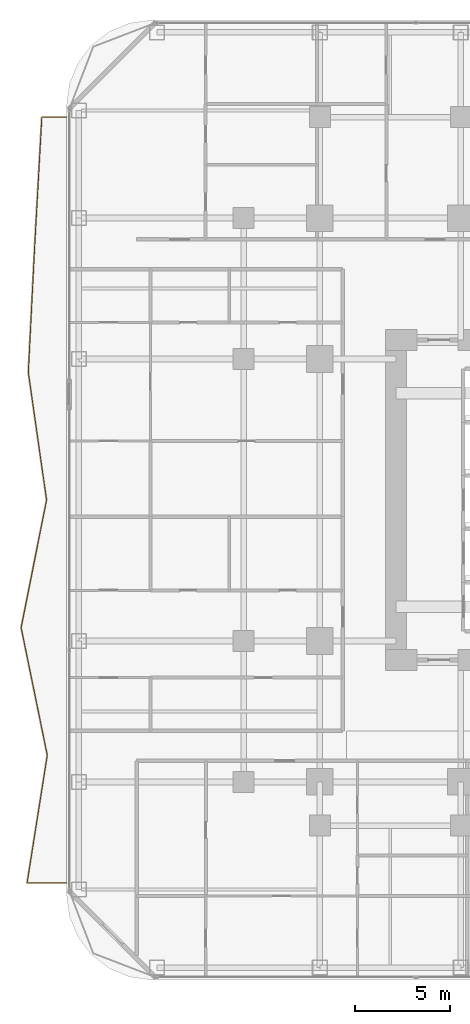
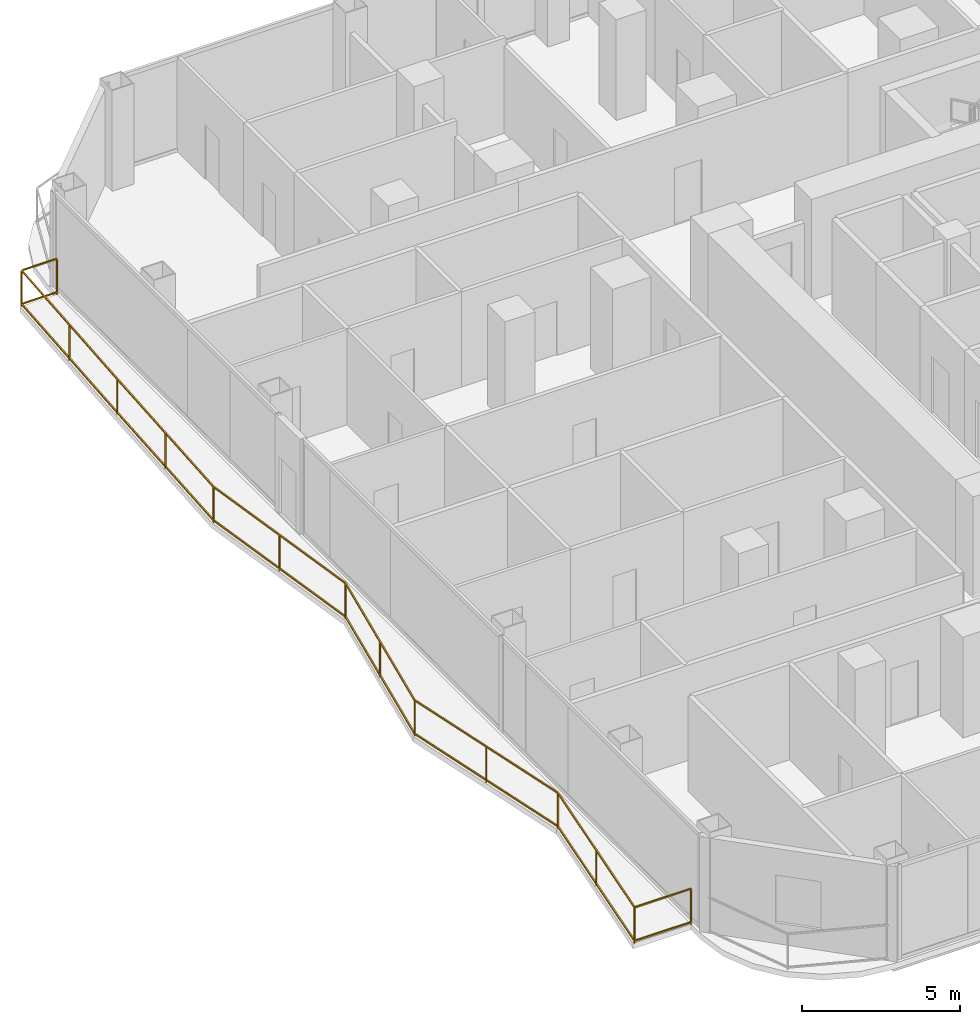
# One storey, part 26 of 29: 1 railing.
"""IFC4 building model written with IfcOpenShell, lengths in metres."""

import ifcopenshell
import ifcopenshell.guid

model = None  # the IFC model being written
_history = None  # IfcOwnerHistory: only IFC2X3 demands one
_inside = {}  # id of a spatial element -> (the spatial element, [elements in it])
_under = {}  # id of a project, library or spatial element -> (it, [spatial elements below it])
_declared = {}  # id of a project -> (the project, [libraries it declares])
_typed = {}  # id of a type object -> (the type object, [elements of that type])
_made_of = {}  # id of a material, layer set ... -> (it, [elements and type objects made of it])


def new_model(schema):
    """Start an empty IFC model of exactly this schema.

    Asked for "IFC4X3", IfcOpenShell would pick the latest addendum, in which some entities
    have other attributes; the version numbers below select the first issue.
    IFC2X3 requires an IfcOwnerHistory on every rooted entity: one is made here for all.
    """
    global model, _history
    if schema == "IFC4X3":
        model = ifcopenshell.file(schema_version=(4, 3, 0, 0))
    else:
        model = ifcopenshell.file(schema=schema)
    _inside.clear()
    _under.clear()
    _declared.clear()
    _typed.clear()
    _made_of.clear()
    _history = None
    if model.schema == "IFC2X3":
        org = make("IfcOrganization", Name="unknown")
        user = make(
            "IfcPersonAndOrganization",
            ThePerson=make("IfcPerson", FamilyName="unknown"),
            TheOrganization=org,
        )
        app = make(
            "IfcApplication",
            ApplicationDeveloper=org,
            Version="unknown",
            ApplicationFullName="unknown",
            ApplicationIdentifier="unknown",
        )
        _history = make(
            "IfcOwnerHistory",
            OwningUser=user,
            OwningApplication=app,
            ChangeAction="ADDED",
            CreationDate=0,
        )
    return model


def make(cls, **values):
    """One entity of the class cls with the attributes given. An attribute that is None is left unset."""
    return model.create_entity(
        cls, **{name: value for name, value in values.items() if value is not None}
    )


def rooted(cls, **values):
    """An entity with a GlobalId (a new one), such as an element, a storey or a relation."""
    return make(cls, GlobalId=ifcopenshell.guid.new(), OwnerHistory=_history, **values)


def si_unit(unit_type, name, prefix=None):
    """IfcSIUnit, for example si_unit("LENGTHUNIT", "METRE", prefix="MILLI")."""
    return make("IfcSIUnit", UnitType=unit_type, Prefix=prefix, Name=name)


def assignment(units):
    """IfcUnitAssignment: the units of a project."""
    return None if units is None else make("IfcUnitAssignment", Units=units)


def point(xyz):
    """IfcCartesianPoint."""
    return None if xyz is None else make("IfcCartesianPoint", Coordinates=xyz)


def direction(xyz):
    """IfcDirection."""
    return None if xyz is None else make("IfcDirection", DirectionRatios=xyz)


def frame(location, z_axis=None, x_axis=None):
    """IfcAxis2Placement3D, a coordinate frame: its origin and axes. An axis left out is left unset."""
    return make(
        "IfcAxis2Placement3D",
        Location=point(location),
        Axis=direction(z_axis),
        RefDirection=direction(x_axis),
    )


def frame_2d(location, x_axis=None):
    """IfcAxis2Placement2D, a coordinate frame in the plane: its origin and x axis."""
    return make(
        "IfcAxis2Placement2D", Location=point(location), RefDirection=direction(x_axis)
    )


def origin():
    """The frame at (0, 0, 0) with its axes left unset."""
    return frame((0.0, 0.0, 0.0))


def origin_2d():
    """The frame at (0, 0) in the plane with its x axis left unset."""
    return frame_2d((0.0, 0.0))


def place(relative_to, where):
    """IfcLocalPlacement: puts the frame where relative to a parent placement (None: the world)."""
    return make(
        "IfcLocalPlacement", PlacementRelTo=relative_to, RelativePlacement=where
    )


def context(
    kind, dimensions, precision=None, world=None, true_north=None, identifier=None
):
    """IfcGeometricRepresentationContext, for example the 3D "Model" context."""
    return make(
        "IfcGeometricRepresentationContext",
        ContextIdentifier=identifier,
        ContextType=kind,
        CoordinateSpaceDimension=dimensions,
        Precision=precision,
        WorldCoordinateSystem=world,
        TrueNorth=true_north,
    )


def subcontext(parent, identifier, kind, view, scale=None):
    """IfcGeometricRepresentationSubContext, for example "Body" below "Model"."""
    return make(
        "IfcGeometricRepresentationSubContext",
        ContextIdentifier=identifier,
        ContextType=kind,
        ParentContext=parent,
        TargetScale=scale,
        TargetView=view,
    )


def project(units=None, contexts=None):
    """IfcProject with its units and contexts."""
    return rooted(
        "IfcProject",
        Name="project",
        RepresentationContexts=contexts,
        UnitsInContext=assignment(units),
    )


def spatial(cls, under=None, at=None, **own):
    """A site, building, storey or space (cls), placed at a placement, below another one or the project."""
    s = rooted(cls, ObjectPlacement=at, **own)
    if under is not None:
        _under.setdefault(under.id(), (under, []))[1].append(s)
    return s


def profile(cls, at=None, kind="AREA", **sizes):
    """A parametric profile (cls). Its sizes go by their IFC names, for example OverallWidth=200.0."""
    return make(cls, ProfileType=kind, Position=at, **sizes)


def rectangle(**sizes):
    """IfcRectangleProfileDef."""
    return profile("IfcRectangleProfileDef", **sizes)


def extrude(swept, where, along, depth):
    """IfcExtrudedAreaSolid: the profile swept, set in the frame where, extruded along a direction by depth."""
    return make(
        "IfcExtrudedAreaSolid",
        SweptArea=swept,
        Position=where,
        ExtrudedDirection=direction(along),
        Depth=depth,
    )


def shape(context_of_items, identifier, shape_type, items):
    """IfcShapeRepresentation: the items that make up one representation, for example the "Body"."""
    return make(
        "IfcShapeRepresentation",
        ContextOfItems=context_of_items,
        RepresentationIdentifier=identifier,
        RepresentationType=shape_type,
        Items=items,
    )


def material(Name=None, Category=None):
    """IfcMaterial."""
    return make("IfcMaterial", Name=Name, Category=Category)


def made_of(thing, what):
    """Note that an element or type object is made of a material, layer set ...; save() writes the relation."""
    if what is not None:
        _made_of.setdefault(what.id(), (what, []))[1].append(thing)
    return thing


def type_object(cls, material=None, **own):
    """A type object (cls), such as IfcWallType, which elements share."""
    return made_of(rooted(cls, **own), material)


def element(
    cls,
    number,
    at=None,
    inside=None,
    cuts=None,
    type_object=None,
    material=None,
    context=None,
    identifier="Body",
    shape_type=None,
    held_by="IfcProductDefinitionShape",
    body=None,
    shapes=None,
    **own,
):
    """One element of the class cls, such as IfcWall. Its Tag is "e" and its number.

    at: its placement. inside: the storey or other place that contains it. cuts: it is an
    opening in that element (IfcRelVoidsElement). A single representation is given by context,
    identifier, shape_type and body (its items); several are given by shapes. held_by: the class
    of the entity that holds the representations. save() writes the other relations.
    """
    e = rooted(cls, Tag="e%d" % number, ObjectPlacement=at, **own)
    if body is not None:
        shapes = [shape(context, identifier, shape_type, body)]
    if shapes is not None:
        e.Representation = make(held_by, Representations=shapes)
    if inside is not None:
        _inside.setdefault(inside.id(), (inside, []))[1].append(e)
    if cuts is not None:
        rooted(
            "IfcRelVoidsElement", RelatingBuildingElement=cuts, RelatedOpeningElement=e
        )
    if type_object is not None:
        _typed.setdefault(type_object.id(), (type_object, []))[1].append(e)
    return made_of(e, material)


def aggregate(whole, parts):
    """IfcRelAggregates: a whole, such as a stair, and the parts it consists of."""
    return rooted("IfcRelAggregates", RelatingObject=whole, RelatedObjects=parts)


def save(model, path):
    """Write the relations noted so far, then the file.

    IfcRelAggregates (storeys below a building ...), IfcRelContainedInSpatialStructure (elements
    in a storey), IfcRelDefinesByType, IfcRelAssociatesMaterial and IfcRelDeclares: one each for
    every whole, place, type object, material and project.
    """
    for whole, parts in _under.values():
        aggregate(whole, parts)
    for where, things in _inside.values():
        rooted(
            "IfcRelContainedInSpatialStructure",
            RelatedElements=things,
            RelatingStructure=where,
        )
    for kind, things in _typed.values():
        rooted("IfcRelDefinesByType", RelatedObjects=things, RelatingType=kind)
    for what, things in _made_of.values():
        rooted("IfcRelAssociatesMaterial", RelatedObjects=things, RelatingMaterial=what)
    for by, libraries in _declared.values():
        rooted("IfcRelDeclares", RelatingContext=by, RelatedDefinitions=libraries)
    model.write(path)


model = new_model("IFC4")

# Units and contexts
model_context = context("Model", 3, precision=1e-05, world=origin(), true_north=direction((0.0, 1.0)))
body_context = subcontext(model_context, "Body", "Model", "MODEL_VIEW")
ifc_project = project(units=[si_unit("LENGTHUNIT", "METRE"), si_unit("AREAUNIT", "SQUARE_METRE"), si_unit("VOLUMEUNIT", "CUBIC_METRE"), si_unit("PLANEANGLEUNIT", "RADIAN"), si_unit("MASSUNIT", "GRAM", prefix="KILO")], contexts=[model_context])

# Site, building, storey
site_placement = place(None, origin())
site = spatial("IfcSite", under=ifc_project, at=site_placement, CompositionType="ELEMENT")
building_placement = place(site_placement, origin())
building = spatial("IfcBuilding", under=site, at=building_placement, Name="Khorvyn Point Tower", CompositionType="ELEMENT")
storey_placement = place(building_placement, frame((0.0, 0.0, 69.60009765625)))
storey = spatial("IfcBuildingStorey", under=building, at=storey_placement, Name="L18", CompositionType="ELEMENT", Elevation=69.60009765625)

# Railing
ifc_material = material(Name="Anodised aluminium 6063-T6 and laminated safety glass", Category="aluminium")
railing_type = type_object("IfcRailingType", Name="Laminated Glass and Aluminium Balcony Guardrail 1400", PredefinedType="BALUSTRADE", material=ifc_material)
railing_placement = place(storey_placement, frame((-28.10009765625, 20.10009765625, 0.0)))
element("IfcRailing", 1, at=railing_placement, inside=storey, type_object=railing_type, Name="L18 West Balcony Guardrail", PredefinedType="BALUSTRADE", context=body_context, shape_type="SweptSolid", body=[
    extrude(rectangle(XDim=0.048095703125, YDim=0.048095703125, at=origin_2d()), frame((0.0, 0.0, 1.3759765625), z_axis=(-1.0, 0.0, 0.0), x_axis=(0.0, -1.0, 0.0)), (0.0, 0.0, 1.0), 1.294921875),
    extrude(rectangle(XDim=0.048095703125, YDim=0.048095703125, at=origin_2d()), frame((0.0, 0.0, 0.080078125), z_axis=(-1.0, 0.0, 0.0), x_axis=(0.0, -1.0, 0.0)), (0.0, 0.0, 1.0), 1.294921875),
    extrude(rectangle(XDim=0.048095703125, YDim=0.048095703125, at=origin_2d()), frame((-1.294921875, 0.0, 1.3759765625), z_axis=(-0.055445839712, -0.99846169624, 0.0), x_axis=(0.99846169624, -0.055445839713, 0.0)), (0.0, 0.0, 1.0), 6.71044921875),
    extrude(rectangle(XDim=0.048095703125, YDim=0.048095703125, at=origin_2d()), frame((-1.294921875, 0.0, 0.080078125), z_axis=(-0.055445839712, -0.99846169624, 0.0), x_axis=(0.99846169624, -0.055445839713, 0.0)), (0.0, 0.0, 1.0), 6.71044921875),
    extrude(rectangle(XDim=0.048095703125, YDim=0.048095703125, at=origin_2d()), frame((-1.6669921875, -6.7001953125, 1.3759765625), z_axis=(-0.050149985773, -0.998741697801, 0.0), x_axis=(0.998741697801, -0.050149985773, 0.0)), (0.0, 0.0, 1.0), 6.70849609375),
    extrude(rectangle(XDim=0.048095703125, YDim=0.048095703125, at=origin_2d()), frame((-1.6669921875, -6.7001953125, 0.080078125), z_axis=(-0.050149985773, -0.998741697801, 0.0), x_axis=(0.998741697801, -0.050149985773, 0.0)), (0.0, 0.0, 1.0), 6.70849609375),
    extrude(rectangle(XDim=0.048095703125, YDim=0.048095703125, at=origin_2d()), frame((-2.00341796875, -13.400146484375, 1.3759765625), z_axis=(0.141724348985, -0.989906161666, 0.0), x_axis=(0.989906161666, 0.141724348985, 0.0)), (0.0, 0.0, 1.0), 6.768310546875),
    extrude(rectangle(XDim=0.048095703125, YDim=0.048095703125, at=origin_2d()), frame((-2.00341796875, -13.400146484375, 0.080078125), z_axis=(0.141724348985, -0.989906161666, 0.0), x_axis=(0.989906161666, 0.141724348985, 0.0)), (0.0, 0.0, 1.0), 6.768310546875),
    extrude(rectangle(XDim=0.048095703125, YDim=0.048095703125, at=origin_2d()), frame((-1.044189453125, -20.10009765625, 1.3759765625), z_axis=(-0.195717542461, -0.980660309981, 0.0), x_axis=(0.980660309981, -0.195717542461, 0.0)), (0.0, 0.0, 1.0), 6.83203125),
    extrude(rectangle(XDim=0.048095703125, YDim=0.048095703125, at=origin_2d()), frame((-1.044189453125, -20.10009765625, 0.080078125), z_axis=(-0.195717542461, -0.980660309981, 0.0), x_axis=(0.980660309981, -0.195717542461, 0.0)), (0.0, 0.0, 1.0), 6.83203125),
    extrude(rectangle(XDim=0.048095703125, YDim=0.048095703125, at=origin_2d()), frame((-2.38134765625, -26.800048828125, 1.3759765625), z_axis=(0.200898470326, -0.979612068434, 0.0), x_axis=(0.979612068434, 0.200898470326, 0.0)), (0.0, 0.0, 1.0), 6.83935546875),
    extrude(rectangle(XDim=0.048095703125, YDim=0.048095703125, at=origin_2d()), frame((-2.38134765625, -26.800048828125, 0.080078125), z_axis=(0.200898470326, -0.979612068434, 0.0), x_axis=(0.979612068434, 0.200898470326, 0.0)), (0.0, 0.0, 1.0), 6.83935546875),
    extrude(rectangle(XDim=0.048095703125, YDim=0.048095703125, at=origin_2d()), frame((-1.00732421875, -33.5, 1.3759765625), z_axis=(-0.156374689128, -0.987697806315, 0.0), x_axis=(0.987697806315, -0.156374689128, 0.0)), (0.0, 0.0, 1.0), 6.78369140625),
    extrude(rectangle(XDim=0.048095703125, YDim=0.048095703125, at=origin_2d()), frame((-1.00732421875, -33.5, 0.080078125), z_axis=(-0.156374689128, -0.987697806315, 0.0), x_axis=(0.987697806315, -0.156374689128, 0.0)), (0.0, 0.0, 1.0), 6.78369140625),
    extrude(rectangle(XDim=0.048095703125, YDim=0.048095703125, at=origin_2d()), frame((-2.068115234375, -40.2001953125, 1.3759765625), z_axis=(1.0, 0.0, 0.0), x_axis=(0.0, 1.0, 0.0)), (0.0, 0.0, 1.0), 2.068115234375),
    extrude(rectangle(XDim=0.048095703125, YDim=0.048095703125, at=origin_2d()), frame((-2.068115234375, -40.2001953125, 0.080078125), z_axis=(1.0, 0.0, 0.0), x_axis=(0.0, 1.0, 0.0)), (0.0, 0.0, 1.0), 2.068115234375),
    extrude(rectangle(XDim=0.0419921875, YDim=0.0419921875, at=origin_2d()), origin(), (0.0, 0.0, 1.0), 1.351806640625),
    extrude(rectangle(XDim=0.0419921875, YDim=0.0419921875, at=origin_2d()), frame((-1.294921875, 0.0, 0.0)), (0.0, 0.0, 1.0), 1.351806640625),
    extrude(rectangle(XDim=0.0419921875, YDim=0.0419921875, at=origin_2d()), frame((-1.48095703125, -3.35009765625, 0.0)), (0.0, 0.0, 1.0), 1.351806640625),
    extrude(rectangle(XDim=0.0419921875, YDim=0.0419921875, at=origin_2d()), frame((-1.6669921875, -6.7001953125, 0.0)), (0.0, 0.0, 1.0), 1.351806640625),
    extrude(rectangle(XDim=0.0419921875, YDim=0.0419921875, at=origin_2d()), frame((-1.835205078125, -10.05029296875, 0.0)), (0.0, 0.0, 1.0), 1.351806640625),
    extrude(rectangle(XDim=0.0419921875, YDim=0.0419921875, at=origin_2d()), frame((-2.00341796875, -13.400146484375, 0.0)), (0.0, 0.0, 1.0), 1.351806640625),
    extrude(rectangle(XDim=0.0419921875, YDim=0.0419921875, at=origin_2d()), frame((-1.52392578125, -16.75, 0.0)), (0.0, 0.0, 1.0), 1.351806640625),
    extrude(rectangle(XDim=0.0419921875, YDim=0.0419921875, at=origin_2d()), frame((-1.044189453125, -20.10009765625, 0.0)), (0.0, 0.0, 1.0), 1.351806640625),
    extrude(rectangle(XDim=0.0419921875, YDim=0.0419921875, at=origin_2d()), frame((-1.712890625, -23.4501953125, 0.0)), (0.0, 0.0, 1.0), 1.351806640625),
    extrude(rectangle(XDim=0.0419921875, YDim=0.0419921875, at=origin_2d()), frame((-2.38134765625, -26.800048828125, 0.0)), (0.0, 0.0, 1.0), 1.351806640625),
    extrude(rectangle(XDim=0.0419921875, YDim=0.0419921875, at=origin_2d()), frame((-1.6943359375, -30.14990234375, 0.0)), (0.0, 0.0, 1.0), 1.351806640625),
    extrude(rectangle(XDim=0.0419921875, YDim=0.0419921875, at=origin_2d()), frame((-1.00732421875, -33.5, 0.0)), (0.0, 0.0, 1.0), 1.351806640625),
    extrude(rectangle(XDim=0.0419921875, YDim=0.0419921875, at=origin_2d()), frame((-1.53759765625, -36.85009765625, 0.0)), (0.0, 0.0, 1.0), 1.351806640625),
    extrude(rectangle(XDim=0.0419921875, YDim=0.0419921875, at=origin_2d()), frame((-2.068115234375, -40.2001953125, 0.0)), (0.0, 0.0, 1.0), 1.351806640625),
    extrude(rectangle(XDim=0.0419921875, YDim=0.0419921875, at=origin_2d()), frame((0.0, -40.2001953125, 0.0)), (0.0, 0.0, 1.0), 1.351806640625),
])

save(model, "model.ifc")
